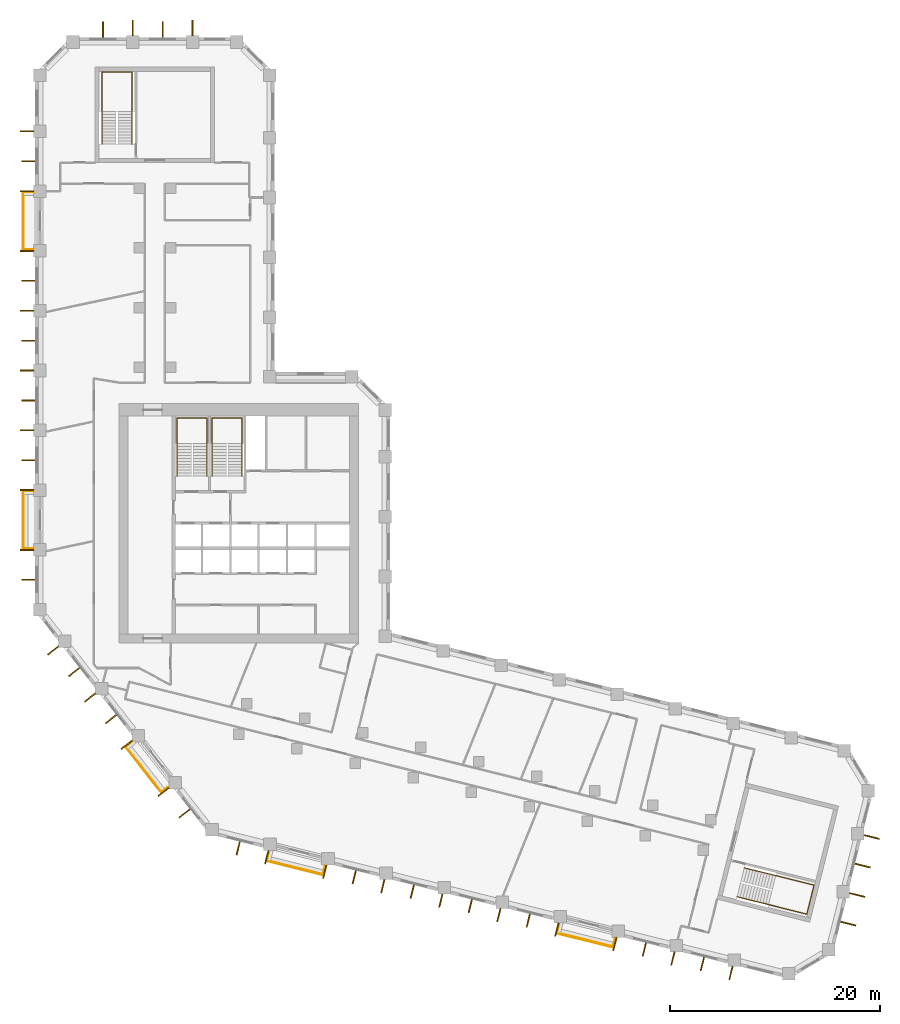
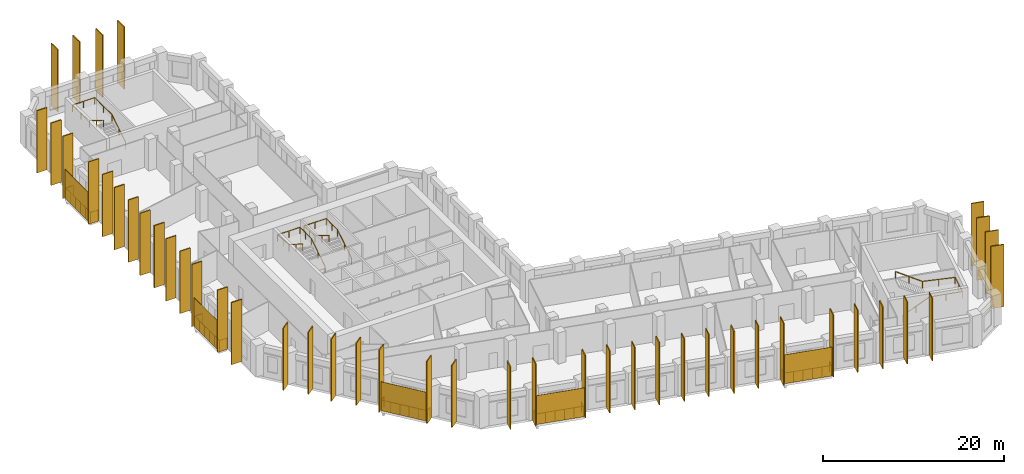
# One storey, part 10 of 10: 50 shading devices, 9 railings.
"""IFC4 building model written with IfcOpenShell, lengths in metres."""

import ifcopenshell
import ifcopenshell.guid

model = None  # the IFC model being written
_history = None  # IfcOwnerHistory: only IFC2X3 demands one
_inside = {}  # id of a spatial element -> (the spatial element, [elements in it])
_under = {}  # id of a project, library or spatial element -> (it, [spatial elements below it])
_declared = {}  # id of a project -> (the project, [libraries it declares])
_typed = {}  # id of a type object -> (the type object, [elements of that type])
_made_of = {}  # id of a material, layer set ... -> (it, [elements and type objects made of it])


def new_model(schema):
    """Start an empty IFC model of exactly this schema.

    Asked for "IFC4X3", IfcOpenShell would pick the latest addendum, in which some entities
    have other attributes; the version numbers below select the first issue.
    IFC2X3 requires an IfcOwnerHistory on every rooted entity: one is made here for all.
    """
    global model, _history
    if schema == "IFC4X3":
        model = ifcopenshell.file(schema_version=(4, 3, 0, 0))
    else:
        model = ifcopenshell.file(schema=schema)
    _inside.clear()
    _under.clear()
    _declared.clear()
    _typed.clear()
    _made_of.clear()
    _history = None
    if model.schema == "IFC2X3":
        org = make("IfcOrganization", Name="unknown")
        user = make(
            "IfcPersonAndOrganization",
            ThePerson=make("IfcPerson", FamilyName="unknown"),
            TheOrganization=org,
        )
        app = make(
            "IfcApplication",
            ApplicationDeveloper=org,
            Version="unknown",
            ApplicationFullName="unknown",
            ApplicationIdentifier="unknown",
        )
        _history = make(
            "IfcOwnerHistory",
            OwningUser=user,
            OwningApplication=app,
            ChangeAction="ADDED",
            CreationDate=0,
        )
    return model


def make(cls, **values):
    """One entity of the class cls with the attributes given. An attribute that is None is left unset."""
    return model.create_entity(
        cls, **{name: value for name, value in values.items() if value is not None}
    )


def rooted(cls, **values):
    """An entity with a GlobalId (a new one), such as an element, a storey or a relation."""
    return make(cls, GlobalId=ifcopenshell.guid.new(), OwnerHistory=_history, **values)


def si_unit(unit_type, name, prefix=None):
    """IfcSIUnit, for example si_unit("LENGTHUNIT", "METRE", prefix="MILLI")."""
    return make("IfcSIUnit", UnitType=unit_type, Prefix=prefix, Name=name)


def assignment(units):
    """IfcUnitAssignment: the units of a project."""
    return None if units is None else make("IfcUnitAssignment", Units=units)


def point(xyz):
    """IfcCartesianPoint."""
    return None if xyz is None else make("IfcCartesianPoint", Coordinates=xyz)


def direction(xyz):
    """IfcDirection."""
    return None if xyz is None else make("IfcDirection", DirectionRatios=xyz)


def frame(location, z_axis=None, x_axis=None):
    """IfcAxis2Placement3D, a coordinate frame: its origin and axes. An axis left out is left unset."""
    return make(
        "IfcAxis2Placement3D",
        Location=point(location),
        Axis=direction(z_axis),
        RefDirection=direction(x_axis),
    )


def frame_2d(location, x_axis=None):
    """IfcAxis2Placement2D, a coordinate frame in the plane: its origin and x axis."""
    return make(
        "IfcAxis2Placement2D", Location=point(location), RefDirection=direction(x_axis)
    )


def origin():
    """The frame at (0, 0, 0) with its axes left unset."""
    return frame((0.0, 0.0, 0.0))


def origin_2d():
    """The frame at (0, 0) in the plane with its x axis left unset."""
    return frame_2d((0.0, 0.0))


def place(relative_to, where):
    """IfcLocalPlacement: puts the frame where relative to a parent placement (None: the world)."""
    return make(
        "IfcLocalPlacement", PlacementRelTo=relative_to, RelativePlacement=where
    )


def context(
    kind, dimensions, precision=None, world=None, true_north=None, identifier=None
):
    """IfcGeometricRepresentationContext, for example the 3D "Model" context."""
    return make(
        "IfcGeometricRepresentationContext",
        ContextIdentifier=identifier,
        ContextType=kind,
        CoordinateSpaceDimension=dimensions,
        Precision=precision,
        WorldCoordinateSystem=world,
        TrueNorth=true_north,
    )


def subcontext(parent, identifier, kind, view, scale=None):
    """IfcGeometricRepresentationSubContext, for example "Body" below "Model"."""
    return make(
        "IfcGeometricRepresentationSubContext",
        ContextIdentifier=identifier,
        ContextType=kind,
        ParentContext=parent,
        TargetScale=scale,
        TargetView=view,
    )


def project(units=None, contexts=None):
    """IfcProject with its units and contexts."""
    return rooted(
        "IfcProject",
        Name="project",
        RepresentationContexts=contexts,
        UnitsInContext=assignment(units),
    )


def spatial(cls, under=None, at=None, **own):
    """A site, building, storey or space (cls), placed at a placement, below another one or the project."""
    s = rooted(cls, ObjectPlacement=at, **own)
    if under is not None:
        _under.setdefault(under.id(), (under, []))[1].append(s)
    return s


def profile(cls, at=None, kind="AREA", **sizes):
    """A parametric profile (cls). Its sizes go by their IFC names, for example OverallWidth=200.0."""
    return make(cls, ProfileType=kind, Position=at, **sizes)


def rectangle(**sizes):
    """IfcRectangleProfileDef."""
    return profile("IfcRectangleProfileDef", **sizes)


def circle(**sizes):
    """IfcCircleProfileDef."""
    return profile("IfcCircleProfileDef", **sizes)


def extrude(swept, where, along, depth):
    """IfcExtrudedAreaSolid: the profile swept, set in the frame where, extruded along a direction by depth."""
    return make(
        "IfcExtrudedAreaSolid",
        SweptArea=swept,
        Position=where,
        ExtrudedDirection=direction(along),
        Depth=depth,
    )


def shape(context_of_items, identifier, shape_type, items):
    """IfcShapeRepresentation: the items that make up one representation, for example the "Body"."""
    return make(
        "IfcShapeRepresentation",
        ContextOfItems=context_of_items,
        RepresentationIdentifier=identifier,
        RepresentationType=shape_type,
        Items=items,
    )


def material(Name=None, Category=None):
    """IfcMaterial."""
    return make("IfcMaterial", Name=Name, Category=Category)


def layer(
    of_material, thickness, ventilated=None, Name=None, Category=None, Priority=None
):
    """IfcMaterialLayer: one layer of a wall or slab, of a material (None: an air gap)."""
    return make(
        "IfcMaterialLayer",
        Material=of_material,
        LayerThickness=thickness,
        IsVentilated=ventilated,
        Name=Name,
        Category=Category,
        Priority=Priority,
    )


def layer_set(layers, Name=None):
    """IfcMaterialLayerSet."""
    return make("IfcMaterialLayerSet", MaterialLayers=layers, LayerSetName=Name)


def made_of(thing, what):
    """Note that an element or type object is made of a material, layer set ...; save() writes the relation."""
    if what is not None:
        _made_of.setdefault(what.id(), (what, []))[1].append(thing)
    return thing


def type_object(cls, material=None, **own):
    """A type object (cls), such as IfcWallType, which elements share."""
    return made_of(rooted(cls, **own), material)


def element(
    cls,
    number,
    at=None,
    inside=None,
    cuts=None,
    type_object=None,
    material=None,
    context=None,
    identifier="Body",
    shape_type=None,
    held_by="IfcProductDefinitionShape",
    body=None,
    shapes=None,
    **own,
):
    """One element of the class cls, such as IfcWall. Its Tag is "e" and its number.

    at: its placement. inside: the storey or other place that contains it. cuts: it is an
    opening in that element (IfcRelVoidsElement). A single representation is given by context,
    identifier, shape_type and body (its items); several are given by shapes. held_by: the class
    of the entity that holds the representations. save() writes the other relations.
    """
    e = rooted(cls, Tag="e%d" % number, ObjectPlacement=at, **own)
    if body is not None:
        shapes = [shape(context, identifier, shape_type, body)]
    if shapes is not None:
        e.Representation = make(held_by, Representations=shapes)
    if inside is not None:
        _inside.setdefault(inside.id(), (inside, []))[1].append(e)
    if cuts is not None:
        rooted(
            "IfcRelVoidsElement", RelatingBuildingElement=cuts, RelatedOpeningElement=e
        )
    if type_object is not None:
        _typed.setdefault(type_object.id(), (type_object, []))[1].append(e)
    return made_of(e, material)


def aggregate(whole, parts):
    """IfcRelAggregates: a whole, such as a stair, and the parts it consists of."""
    return rooted("IfcRelAggregates", RelatingObject=whole, RelatedObjects=parts)


def save(model, path):
    """Write the relations noted so far, then the file.

    IfcRelAggregates (storeys below a building ...), IfcRelContainedInSpatialStructure (elements
    in a storey), IfcRelDefinesByType, IfcRelAssociatesMaterial and IfcRelDeclares: one each for
    every whole, place, type object, material and project.
    """
    for whole, parts in _under.values():
        aggregate(whole, parts)
    for where, things in _inside.values():
        rooted(
            "IfcRelContainedInSpatialStructure",
            RelatedElements=things,
            RelatingStructure=where,
        )
    for kind, things in _typed.values():
        rooted("IfcRelDefinesByType", RelatedObjects=things, RelatingType=kind)
    for what, things in _made_of.values():
        rooted("IfcRelAssociatesMaterial", RelatedObjects=things, RelatingMaterial=what)
    for by, libraries in _declared.values():
        rooted("IfcRelDeclares", RelatingContext=by, RelatedDefinitions=libraries)
    model.write(path)


model = new_model("IFC4")

# Units and contexts
model_context = context("Model", 3, precision=1e-05, world=origin(), true_north=direction((0.0, 1.0)))
body_context = subcontext(model_context, "Body", "Model", "MODEL_VIEW")
ifc_project = project(units=[si_unit("LENGTHUNIT", "METRE"), si_unit("AREAUNIT", "SQUARE_METRE"), si_unit("VOLUMEUNIT", "CUBIC_METRE"), si_unit("PLANEANGLEUNIT", "RADIAN"), si_unit("MASSUNIT", "GRAM", prefix="KILO")], contexts=[model_context])

# Site, building, storey
site_placement = place(None, origin())
site = spatial("IfcSite", under=ifc_project, at=site_placement, CompositionType="ELEMENT")
building_placement = place(site_placement, origin())
building = spatial("IfcBuilding", under=site, at=building_placement, Name="Meshkara Civic Tower", CompositionType="ELEMENT")
storey_placement = place(building_placement, frame((0.0, 0.0, 211.800048828125)))
storey = spatial("IfcBuildingStorey", under=building, at=storey_placement, Name="L48", CompositionType="ELEMENT", Elevation=211.800048828125)

# Railings
ifc_material_1 = material(Name="Steel S355", Category="steel")
railing_type_1 = type_object("IfcRailingType", Name="BALUSTRADE GUARD 1400", PredefinedType="BALUSTRADE", material=ifc_material_1)
for number, where, name in (
    (1, (-0.14990234375, 57.034912109375, 0.0), "Balcony guard"),
    (2, (-0.14990234375, 28.534912109375, 0.0), "Balcony guard"),
):
    element("IfcRailing", number, at=place(storey_placement, frame(where)), inside=storey, type_object=railing_type_1, Name=name, PredefinedType="BALUSTRADE", context=body_context, shape_type="SweptSolid", body=[
        extrude(circle(Radius=0.02392578125, at=origin_2d()), frame((0.0, 0.0, 1.3759765625), z_axis=(-1.0, 0.0, 0.0), x_axis=(0.0, -1.0, 0.0)), (0.0, 0.0, 1.0), 0.960205078125),
        extrude(circle(Radius=0.02392578125, at=origin_2d()), frame((-0.960205078125, 0.0, 1.3759765625), z_axis=(0.0, -1.0, 0.0), x_axis=(1.0, 0.0, 0.0)), (0.0, 0.0, 1.0), 5.4599609375),
        extrude(circle(Radius=0.02392578125, at=origin_2d()), frame((-0.960205078125, -5.4599609375, 1.3759765625), z_axis=(1.0, 0.0, 0.0), x_axis=(0.0, 1.0, 0.0)), (0.0, 0.0, 1.0), 0.960205078125),
        extrude(circle(Radius=0.02099609375, at=origin_2d()), origin(), (0.0, 0.0, 1.0), 1.351806640625),
        extrude(circle(Radius=0.02099609375, at=origin_2d()), frame((-0.960205078125, 0.0, 0.0)), (0.0, 0.0, 1.0), 1.351806640625),
        extrude(circle(Radius=0.02099609375, at=origin_2d()), frame((-0.960205078125, -1.092041015625, 0.0)), (0.0, 0.0, 1.0), 1.351806640625),
        extrude(circle(Radius=0.02099609375, at=origin_2d()), frame((-0.960205078125, -2.18408203125, 0.0)), (0.0, 0.0, 1.0), 1.351806640625),
        extrude(circle(Radius=0.02099609375, at=origin_2d()), frame((-0.960205078125, -3.27587890625, 0.0)), (0.0, 0.0, 1.0), 1.351806640625),
        extrude(circle(Radius=0.02099609375, at=origin_2d()), frame((-0.960205078125, -4.367919921875, 0.0)), (0.0, 0.0, 1.0), 1.351806640625),
        extrude(circle(Radius=0.02099609375, at=origin_2d()), frame((-0.960205078125, -5.4599609375, 0.0)), (0.0, 0.0, 1.0), 1.351806640625),
        extrude(circle(Radius=0.02099609375, at=origin_2d()), frame((0.0, -5.4599609375, 0.0)), (0.0, 0.0, 1.0), 1.351806640625),
    ])
railing_1_placement = place(storey_placement, frame((9.242919921875, 4.632080078125, 0.0)))
element("IfcRailing", 3, at=railing_1_placement, inside=storey, type_object=railing_type_1, Name="Balcony guard", PredefinedType="BALUSTRADE", context=body_context, shape_type="SweptSolid", body=[
    extrude(circle(Radius=0.02392578125, at=origin_2d()), frame((0.0, 0.0, 1.3759765625), z_axis=(-0.787497819548, -0.616317437857, 0.0), x_axis=(0.616317437857, -0.787497819548, 0.0)), (0.0, 0.0, 1.0), 0.71728515625),
    extrude(circle(Radius=0.02392578125, at=origin_2d()), frame((-0.56494140625, -0.442138671875, 1.3759765625), z_axis=(0.615660530481, -0.788011491799, 0.0), x_axis=(0.788011491799, 0.615660530481, 0.0)), (0.0, 0.0, 1.0), 5.459228515625),
    extrude(circle(Radius=0.02392578125, at=origin_2d()), frame((2.796142578125, -4.744140625, 1.3759765625), z_axis=(0.787497819548, 0.616317437857, 0.0), x_axis=(-0.616317437857, 0.787497819548, 0.0)), (0.0, 0.0, 1.0), 0.71728515625),
    extrude(circle(Radius=0.02099609375, at=origin_2d()), origin(), (0.0, 0.0, 1.0), 1.351806640625),
    extrude(circle(Radius=0.02099609375, at=origin_2d()), frame((-0.56494140625, -0.442138671875, 0.0)), (0.0, 0.0, 1.0), 1.351806640625),
    extrude(circle(Radius=0.02099609375, at=origin_2d()), frame((0.107177734375, -1.302490234375, 0.0)), (0.0, 0.0, 1.0), 1.351806640625),
    extrude(circle(Radius=0.02099609375, at=origin_2d()), frame((0.779541015625, -2.162841796875, 0.0)), (0.0, 0.0, 1.0), 1.351806640625),
    extrude(circle(Radius=0.02099609375, at=origin_2d()), frame((1.45166015625, -3.0234375, 0.0)), (0.0, 0.0, 1.0), 1.351806640625),
    extrude(circle(Radius=0.02099609375, at=origin_2d()), frame((2.1240234375, -3.8837890625, 0.0)), (0.0, 0.0, 1.0), 1.351806640625),
    extrude(circle(Radius=0.02099609375, at=origin_2d()), frame((2.796142578125, -4.744140625, 0.0)), (0.0, 0.0, 1.0), 1.351806640625),
    extrude(circle(Radius=0.02099609375, at=origin_2d()), frame((3.361083984375, -4.302001953125, 0.0)), (0.0, 0.0, 1.0), 1.351806640625),
])
railing_2_placement = place(storey_placement, frame((22.322998046875, -5.85205078125, 0.0)))
element("IfcRailing", 4, at=railing_2_placement, inside=storey, type_object=railing_type_1, Name="Balcony guard", PredefinedType="BALUSTRADE", context=body_context, shape_type="SweptSolid", body=[
    extrude(circle(Radius=0.02392578125, at=origin_2d()), frame((0.0, 0.0, 1.3759765625), z_axis=(-0.242742811605, -0.970090679995, 0.0), x_axis=(0.970090679995, -0.242742811605, 0.0)), (0.0, 0.0, 1.0), 0.831787109375),
    extrude(circle(Radius=0.02392578125, at=origin_2d()), frame((-0.201904296875, -0.806884765625, 1.3759765625), z_axis=(0.970279141219, -0.24198840492, 0.0), x_axis=(0.24198840492, 0.970279141219, 0.0)), (0.0, 0.0, 1.0), 5.459228515625),
    extrude(circle(Radius=0.02392578125, at=origin_2d()), frame((5.094970703125, -2.1279296875, 1.3759765625), z_axis=(0.242742561173, 0.97009074266, 0.0), x_axis=(-0.97009074266, 0.242742561173, 0.0)), (0.0, 0.0, 1.0), 0.832763671875),
    extrude(circle(Radius=0.02099609375, at=origin_2d()), origin(), (0.0, 0.0, 1.0), 1.351806640625),
    extrude(circle(Radius=0.02099609375, at=origin_2d()), frame((-0.201904296875, -0.806884765625, 0.0)), (0.0, 0.0, 1.0), 1.351806640625),
    extrude(circle(Radius=0.02099609375, at=origin_2d()), frame((0.857421875, -1.071044921875, 0.0)), (0.0, 0.0, 1.0), 1.351806640625),
    extrude(circle(Radius=0.02099609375, at=origin_2d()), frame((1.916748046875, -1.335205078125, 0.0)), (0.0, 0.0, 1.0), 1.351806640625),
    extrude(circle(Radius=0.02099609375, at=origin_2d()), frame((2.976318359375, -1.599609375, 0.0)), (0.0, 0.0, 1.0), 1.351806640625),
    extrude(circle(Radius=0.02099609375, at=origin_2d()), frame((4.03564453125, -1.86376953125, 0.0)), (0.0, 0.0, 1.0), 1.351806640625),
    extrude(circle(Radius=0.02099609375, at=origin_2d()), frame((5.094970703125, -2.1279296875, 0.0)), (0.0, 0.0, 1.0), 1.351806640625),
    extrude(circle(Radius=0.02099609375, at=origin_2d()), frame((5.297119140625, -1.320068359375, 0.0)), (0.0, 0.0, 1.0), 1.351806640625),
])
railing_3_placement = place(storey_placement, frame((49.97509765625, -12.74609375, 0.0)))
element("IfcRailing", 5, at=railing_3_placement, inside=storey, type_object=railing_type_1, Name="Balcony guard", PredefinedType="BALUSTRADE", context=body_context, shape_type="SweptSolid", body=[
    extrude(circle(Radius=0.02392578125, at=origin_2d()), frame((0.0, 0.0, 1.3759765625), z_axis=(-0.241638519436, -0.97036633594, 0.0), x_axis=(0.97036633594, -0.241638519436, 0.0)), (0.0, 0.0, 1.0), 0.83251953125),
    extrude(circle(Radius=0.02392578125, at=origin_2d()), frame((-0.201171875, -0.807861328125, 1.3759765625), z_axis=(0.970292231073, -0.24193591366, 0.0), x_axis=(0.24193591366, 0.970292231073, 0.0)), (0.0, 0.0, 1.0), 5.460205078125),
    extrude(circle(Radius=0.02392578125, at=origin_2d()), frame((5.096923828125, -2.12890625, 1.3759765625), z_axis=(0.242397690902, 0.970176973261, 0.0), x_axis=(-0.970176973261, 0.242397690902, 0.0)), (0.0, 0.0, 1.0), 0.8330078125),
    extrude(circle(Radius=0.02099609375, at=origin_2d()), origin(), (0.0, 0.0, 1.0), 1.351806640625),
    extrude(circle(Radius=0.02099609375, at=origin_2d()), frame((-0.201171875, -0.807861328125, 0.0)), (0.0, 0.0, 1.0), 1.351806640625),
    extrude(circle(Radius=0.02099609375, at=origin_2d()), frame((0.8583984375, -1.072021484375, 0.0)), (0.0, 0.0, 1.0), 1.351806640625),
    extrude(circle(Radius=0.02099609375, at=origin_2d()), frame((1.91796875, -1.336181640625, 0.0)), (0.0, 0.0, 1.0), 1.351806640625),
    extrude(circle(Radius=0.02099609375, at=origin_2d()), frame((2.977783203125, -1.6005859375, 0.0)), (0.0, 0.0, 1.0), 1.351806640625),
    extrude(circle(Radius=0.02099609375, at=origin_2d()), frame((4.037353515625, -1.86474609375, 0.0)), (0.0, 0.0, 1.0), 1.351806640625),
    extrude(circle(Radius=0.02099609375, at=origin_2d()), frame((5.096923828125, -2.12890625, 0.0)), (0.0, 0.0, 1.0), 1.351806640625),
    extrude(circle(Radius=0.02099609375, at=origin_2d()), frame((5.298828125, -1.32080078125, 0.0)), (0.0, 0.0, 1.0), 1.351806640625),
])

# Shading devices
ifc_material_2 = material(Name="Bronze anodised aluminium", Category="aluminium")
ifc_layer_1 = layer(ifc_material_2, 0.1201171875)
ifc_layer_set_1 = layer_set([ifc_layer_1], Name="BRONZE FIN 1300")
shading_device_type_1 = type_object("IfcShadingDeviceType", Name="BRONZE FIN 1300", PredefinedType="USERDEFINED", material=ifc_layer_set_1)
for number, where, z_axis, x_axis, name in (
    (6, (-0.800048828125, 62.85498046875, 0.0), (0.0, 0.0, 1.0), (0.0, -1.0, 0.0), "Fin"),
    (7, (-0.64990234375, 60.0048828125, 0.0), (0.0, 0.0, 1.0), (0.0, -1.0, 0.0), "Fin"),
    (8, (-0.800048828125, 57.155029296875, 0.0), (0.0, 0.0, 1.0), (0.0, -1.0, 0.0), "Fin"),
    (9, (-0.800048828125, 51.455078125, 0.0), (0.0, 0.0, 1.0), (0.0, -1.0, 0.0), "Fin"),
    (10, (-0.64990234375, 48.60498046875, 0.0), (0.0, 0.0, 1.0), (0.0, -1.0, 0.0), "Fin"),
    (11, (-0.800048828125, 45.7548828125, 0.0), (0.0, 0.0, 1.0), (0.0, -1.0, 0.0), "Fin"),
    (12, (-0.64990234375, 42.905029296875, 0.0), (0.0, 0.0, 1.0), (0.0, -1.0, 0.0), "Fin"),
    (13, (-0.800048828125, 40.054931640625, 0.0), (0.0, 0.0, 1.0), (0.0, -1.0, 0.0), "Fin"),
    (14, (-0.64990234375, 37.205078125, 0.0), (0.0, 0.0, 1.0), (0.0, -1.0, 0.0), "Fin"),
    (15, (-0.800048828125, 34.35498046875, 0.0), (0.0, 0.0, 1.0), (0.0, -1.0, 0.0), "Fin"),
    (16, (-0.64990234375, 31.5048828125, 0.0), (0.0, 0.0, 1.0), (0.0, -1.0, 0.0), "Fin"),
    (17, (-0.800048828125, 28.655029296875, 0.0), (0.0, 0.0, 1.0), (0.0, -1.0, 0.0), "Fin"),
    (18, (-0.800048828125, 22.955078125, 0.0), (0.0, 0.0, 1.0), (0.0, -1.0, 0.0), "Fin"),
    (19, (-0.64990234375, 20.10498046875, 0.0), (0.0, 0.0, 1.0), (0.0, -1.0, 0.0), "Fin"),
    (20, (1.701904296875, 13.360107421875, 0.0), (0.0, 0.0, 1.0), (0.615661475326, -0.788010753607, 0.0), "Fin"),
    (21, (3.701904296875, 11.305908203125, 0.0), (0.0, 0.0, 1.0), (0.615661475326, -0.788010753607, 0.0), "Fin"),
    (22, (5.2109375, 8.867919921875, 0.0), (0.0, 0.0, 1.0), (0.615661475326, -0.788010753607, 0.0), "Fin"),
    (23, (7.2109375, 6.81396484375, 0.0), (0.0, 0.0, 1.0), (0.615661475326, -0.788010753607, 0.0), "Fin"),
    (24, (8.720947265625, 4.3759765625, 0.0), (0.0, 0.0, 1.0), (0.615661475326, -0.788010753607, 0.0), "Fin"),
    (25, (12.22998046875, -0.114990234375, 0.0), (0.0, 0.0, 1.0), (0.615661475326, -0.788010753607, 0.0), "Fin"),
    (26, (14.22998046875, -2.1689453125, 0.0), (0.0, 0.0, 1.0), (0.615661475326, -0.788010753607, 0.0), "Fin"),
    (27, (19.35009765625, -5.4951171875, 0.0), (0.0, 0.0, 1.0), (0.970299948462, -0.241904960708, 0.0), "Fin"),
    (28, (22.074951171875, -6.347900390625, 0.0), (0.0, 0.0, 1.0), (0.970299948462, -0.241904960708, 0.0), "Fin"),
    (29, (27.60498046875, -7.72705078125, 0.0), (0.0, 0.0, 1.0), (0.970299948462, -0.241904960708, 0.0), "Fin"),
    (30, (30.412109375, -8.251953125, 0.0), (0.0, 0.0, 1.0), (0.970299948462, -0.241904960708, 0.0), "Fin"),
    (31, (33.135986328125, -9.10595703125, 0.0), (0.0, 0.0, 1.0), (0.970299948462, -0.241904960708, 0.0), "Fin"),
    (32, (35.94189453125, -9.631103515625, 0.0), (0.0, 0.0, 1.0), (0.970299948462, -0.241904960708, 0.0), "Fin"),
    (33, (38.6669921875, -10.48388671875, 0.0), (0.0, 0.0, 1.0), (0.970299948462, -0.241904960708, 0.0), "Fin"),
    (34, (41.472900390625, -11.010009765625, 0.0), (0.0, 0.0, 1.0), (0.970299948462, -0.241904960708, 0.0), "Fin"),
    (35, (44.197998046875, -11.863037109375, 0.0), (0.0, 0.0, 1.0), (0.970299948462, -0.241904960708, 0.0), "Fin"),
    (36, (47.00390625, -12.388916015625, 0.0), (0.0, 0.0, 1.0), (0.970299948462, -0.241904960708, 0.0), "Fin"),
    (37, (49.72802734375, -13.241943359375, 0.0), (0.0, 0.0, 1.0), (0.970299948462, -0.241904960708, 0.0), "Fin"),
    (38, (55.259033203125, -14.62109375, 0.0), (0.0, 0.0, 1.0), (0.970299948462, -0.241904960708, 0.0), "Fin"),
    (39, (58.06494140625, -15.14697265625, 0.0), (0.0, 0.0, 1.0), (0.970299948462, -0.241904960708, 0.0), "Fin"),
    (40, (60.7900390625, -16.0, 0.0), (0.0, 0.0, 1.0), (0.970299948462, -0.241904960708, 0.0), "Fin"),
    (41, (63.595947265625, -16.52587890625, 0.0), (0.0, 0.0, 1.0), (0.970299948462, -0.241904960708, 0.0), "Fin"),
    (42, (66.320068359375, -17.37890625, 0.0), (0.0, 0.0, 1.0), (0.970299948462, -0.241904960708, 0.0), "Fin"),
):
    element("IfcShadingDevice", number, at=place(storey_placement, frame(where, z_axis=z_axis, x_axis=x_axis)), inside=storey, type_object=shading_device_type_1, Name=name, ObjectType="FIN", PredefinedType="USERDEFINED", context=body_context, shape_type="SweptSolid", body=[
        extrude(rectangle(XDim=0.1201171875, YDim=1.300048828125, at=origin_2d()), origin(), (0.0, 0.0, 1.0), 8.39990234375),
    ])
ifc_material_3 = material(Name="Bronze anodised aluminium", Category="aluminium")
ifc_layer_2 = layer(ifc_material_3, 0.1201171875)
ifc_layer_set_2 = layer_set([ifc_layer_2], Name="BRONZE FIN 1500")
shading_device_type_2 = type_object("IfcShadingDeviceType", Name="BRONZE FIN 1500", PredefinedType="USERDEFINED", material=ifc_layer_set_2)
for number, where, z_axis, x_axis, name in (
    (43, (15.006103515625, 72.719970703125, 0.0), (0.0, 0.0, 1.0), (-1.0, 0.0, 0.0), "Fin"),
    (44, (12.156005859375, 72.570068359375, 0.0), (0.0, 0.0, 1.0), (-1.0, 0.0, 0.0), "Fin"),
    (45, (9.305908203125, 72.719970703125, 0.0), (0.0, 0.0, 1.0), (-1.0, 0.0, 0.0), "Fin"),
    (46, (6.4560546875, 72.570068359375, 0.0), (0.0, 0.0, 1.0), (-1.0, 0.0, 0.0), "Fin"),
    (47, (77.507080078125, -12.669921875, 0.0), (0.0, 0.0, 1.0), (0.2419218956, 0.970295726276, 0.0), "Fin"),
    (48, (78.360107421875, -9.945068359375, 0.0), (0.0, 0.0, 1.0), (0.2419218956, 0.970295726276, 0.0), "Fin"),
    (49, (78.885986328125, -7.138916015625, 0.0), (0.0, 0.0, 1.0), (0.2419218956, 0.970295726276, 0.0), "Fin"),
    (50, (79.739013671875, -4.4150390625, 0.0), (0.0, 0.0, 1.0), (0.2419218956, 0.970295726276, 0.0), "Fin"),
):
    element("IfcShadingDevice", number, at=place(storey_placement, frame(where, z_axis=z_axis, x_axis=x_axis)), inside=storey, type_object=shading_device_type_2, Name=name, ObjectType="FIN", PredefinedType="USERDEFINED", context=body_context, shape_type="SweptSolid", body=[
        extrude(rectangle(XDim=0.1201171875, YDim=1.5, at=origin_2d()), origin(), (0.0, 0.0, 1.0), 8.39990234375),
    ])
ifc_material_4 = material(Name="Perforated bronze anodised aluminium sheet", Category="aluminium")
ifc_layer_3 = layer(ifc_material_4, 0.0400390625)
ifc_layer_set_3 = layer_set([ifc_layer_3], Name="PERFORATED BRONZE SCREEN")
shading_device_type_3 = type_object("IfcShadingDeviceType", Name="PERFORATED BRONZE SCREEN", PredefinedType="USERDEFINED", material=ifc_layer_set_3)
for number, where, z_axis, x_axis, name in (
    (51, (-1.179931640625, 54.304931640625, 0.0), (0.0, 0.0, 1.0), (0.0, -1.0, 0.0), "Balcony screen"),
    (52, (-1.179931640625, 25.804931640625, 0.0), (0.0, 0.0, 1.0), (0.0, -1.0, 0.0), "Balcony screen"),
):
    element("IfcShadingDevice", number, at=place(storey_placement, frame(where, z_axis=z_axis, x_axis=x_axis)), inside=storey, type_object=shading_device_type_3, Name=name, ObjectType="SCREEN", PredefinedType="USERDEFINED", context=body_context, shape_type="SweptSolid", body=[
        extrude(rectangle(XDim=5.580078125, YDim=0.0400390625, at=origin_2d()), origin(), (0.0, 0.0, 1.0), 3.89990234375),
    ])
for number, where, z_axis, x_axis, name in (
    (53, (10.302978515625, 1.99609375, 0.0), (0.0, 0.0, 1.0), (0.615661475326, -0.788010753607, 0.0), "Balcony screen"),
    (54, (24.7529296875, -7.387939453125, 0.0), (0.0, 0.0, 1.0), (0.970299948462, -0.241904960708, 0.0), "Balcony screen"),
):
    element("IfcShadingDevice", number, at=place(storey_placement, frame(where, z_axis=z_axis, x_axis=x_axis)), inside=storey, type_object=shading_device_type_3, Name=name, ObjectType="SCREEN", PredefinedType="USERDEFINED", context=body_context, shape_type="SweptSolid", body=[
        extrude(rectangle(XDim=5.5791015625, YDim=0.0400390625, at=origin_2d()), origin(), (0.0, 0.0, 1.0), 3.89990234375),
    ])
shading_device_placement = place(storey_placement, frame((52.406005859375, -14.281982421875, 0.0), z_axis=(0.0, 0.0, 1.0), x_axis=(0.970299948462, -0.241904960708, 0.0)))
element("IfcShadingDevice", 55, at=shading_device_placement, inside=storey, type_object=shading_device_type_3, Name="Balcony screen", ObjectType="SCREEN", PredefinedType="USERDEFINED", context=body_context, shape_type="SweptSolid", body=[
    extrude(rectangle(XDim=5.580078125, YDim=0.0400390625, at=origin_2d()), origin(), (0.0, 0.0, 1.0), 3.89990234375),
])

# Railings
ifc_material_5 = material(Name="Steel handrail", Category="steel")
railing_type_2 = type_object("IfcRailingType", Name="Stair handrail 900", PredefinedType="HANDRAIL", material=ifc_material_5)
railing_4_placement = place(storey_placement, frame((16.375, 30.0, 0.175048828125)))
element("IfcRailing", 56, at=railing_4_placement, inside=storey, type_object=railing_type_2, Name="L48 ST1 stair handrail 1", PredefinedType="HANDRAIL", context=body_context, shape_type="SweptSolid", body=[
    extrude(circle(Radius=0.02392578125, at=origin_2d()), frame((0.0, 0.0, 0.8759765625), z_axis=(0.0, 0.848028513186, 0.529950602248), x_axis=(-1.0, 0.0, 0.0)), (0.0, 0.0, 1.0), 3.632080078125),
    extrude(circle(Radius=0.02392578125, at=origin_2d()), frame((0.0, 3.080078125, 2.80078125), z_axis=(0.0, 1.0, 0.0), x_axis=(-1.0, 0.0, 0.0)), (0.0, 0.0, 1.0), 2.469970703125),
    extrude(circle(Radius=0.02392578125, at=origin_2d()), frame((0.0, 5.550048828125, 2.80078125), z_axis=(-1.0, 0.0, 0.0), x_axis=(0.0, -1.0, 0.0)), (0.0, 0.0, 1.0), 2.85009765625),
    extrude(circle(Radius=0.02392578125, at=origin_2d()), frame((-2.85009765625, 5.550048828125, 2.80078125), z_axis=(0.0, -0.997498084828, 0.070693498747), x_axis=(1.0, 0.0, 0.0)), (0.0, 0.0, 1.0), 2.47607421875),
    extrude(circle(Radius=0.02392578125, at=origin_2d()), frame((-2.85009765625, 3.080078125, 2.9755859375), z_axis=(0.0, -0.847998304005, 0.529998940003), x_axis=(1.0, 0.0, 0.0)), (0.0, 0.0, 1.0), 3.632080078125),
    extrude(circle(Radius=0.02099609375, at=origin_2d()), origin(), (0.0, 0.0, 1.0), 0.851806640625),
    extrude(circle(Radius=0.02099609375, at=origin_2d()), frame((0.0, 1.5400390625, 0.96240234375)), (0.0, 0.0, 1.0), 0.851806640625),
    extrude(circle(Radius=0.02099609375, at=origin_2d()), frame((0.0, 3.080078125, 1.9248046875)), (0.0, 0.0, 1.0), 0.851806640625),
    extrude(circle(Radius=0.02099609375, at=origin_2d()), frame((0.0, 4.31494140625, 1.9248046875)), (0.0, 0.0, 1.0), 0.851806640625),
    extrude(circle(Radius=0.02099609375, at=origin_2d()), frame((0.0, 5.550048828125, 1.9248046875)), (0.0, 0.0, 1.0), 0.851806640625),
    extrude(circle(Radius=0.02099609375, at=origin_2d()), frame((-1.425048828125, 5.550048828125, 1.9248046875)), (0.0, 0.0, 1.0), 0.851806640625),
    extrude(circle(Radius=0.02099609375, at=origin_2d()), frame((-2.85009765625, 5.550048828125, 1.9248046875)), (0.0, 0.0, 1.0), 0.851806640625),
    extrude(circle(Radius=0.02099609375, at=origin_2d()), frame((-2.85009765625, 4.31494140625, 2.01220703125)), (0.0, 0.0, 1.0), 0.851806640625),
    extrude(circle(Radius=0.02099609375, at=origin_2d()), frame((-2.85009765625, 3.080078125, 2.099853515625)), (0.0, 0.0, 1.0), 0.851806640625),
    extrude(circle(Radius=0.02099609375, at=origin_2d()), frame((-2.85009765625, 1.5400390625, 3.0625)), (0.0, 0.0, 1.0), 0.851806640625),
    extrude(circle(Radius=0.02099609375, at=origin_2d()), frame((-2.85009765625, 0.0, 4.02490234375)), (0.0, 0.0, 1.0), 0.851806640625),
])
railing_5_placement = place(storey_placement, frame((19.72509765625, 30.0, 0.175048828125)))
element("IfcRailing", 57, at=railing_5_placement, inside=storey, type_object=railing_type_2, Name="L48 ST2 stair handrail 1", PredefinedType="HANDRAIL", context=body_context, shape_type="SweptSolid", body=[
    extrude(circle(Radius=0.02392578125, at=origin_2d()), frame((0.0, 0.0, 0.8759765625), z_axis=(0.0, 0.848028513186, 0.529950602248), x_axis=(-1.0, 0.0, 0.0)), (0.0, 0.0, 1.0), 3.632080078125),
    extrude(circle(Radius=0.02392578125, at=origin_2d()), frame((0.0, 3.080078125, 2.80078125), z_axis=(0.0, 1.0, 0.0), x_axis=(-1.0, 0.0, 0.0)), (0.0, 0.0, 1.0), 2.469970703125),
    extrude(circle(Radius=0.02392578125, at=origin_2d()), frame((0.0, 5.550048828125, 2.80078125), z_axis=(-1.0, 0.0, 0.0), x_axis=(0.0, -1.0, 0.0)), (0.0, 0.0, 1.0), 2.85009765625),
    extrude(circle(Radius=0.02392578125, at=origin_2d()), frame((-2.85009765625, 5.550048828125, 2.80078125), z_axis=(0.0, -0.997498084828, 0.070693498747), x_axis=(1.0, 0.0, 0.0)), (0.0, 0.0, 1.0), 2.47607421875),
    extrude(circle(Radius=0.02392578125, at=origin_2d()), frame((-2.85009765625, 3.080078125, 2.9755859375), z_axis=(0.0, -0.847998304005, 0.529998940003), x_axis=(1.0, 0.0, 0.0)), (0.0, 0.0, 1.0), 3.632080078125),
    extrude(circle(Radius=0.02099609375, at=origin_2d()), origin(), (0.0, 0.0, 1.0), 0.851806640625),
    extrude(circle(Radius=0.02099609375, at=origin_2d()), frame((0.0, 1.5400390625, 0.96240234375)), (0.0, 0.0, 1.0), 0.851806640625),
    extrude(circle(Radius=0.02099609375, at=origin_2d()), frame((0.0, 3.080078125, 1.9248046875)), (0.0, 0.0, 1.0), 0.851806640625),
    extrude(circle(Radius=0.02099609375, at=origin_2d()), frame((0.0, 4.31494140625, 1.9248046875)), (0.0, 0.0, 1.0), 0.851806640625),
    extrude(circle(Radius=0.02099609375, at=origin_2d()), frame((0.0, 5.550048828125, 1.9248046875)), (0.0, 0.0, 1.0), 0.851806640625),
    extrude(circle(Radius=0.02099609375, at=origin_2d()), frame((-1.425048828125, 5.550048828125, 1.9248046875)), (0.0, 0.0, 1.0), 0.851806640625),
    extrude(circle(Radius=0.02099609375, at=origin_2d()), frame((-2.85009765625, 5.550048828125, 1.9248046875)), (0.0, 0.0, 1.0), 0.851806640625),
    extrude(circle(Radius=0.02099609375, at=origin_2d()), frame((-2.85009765625, 4.31494140625, 2.01220703125)), (0.0, 0.0, 1.0), 0.851806640625),
    extrude(circle(Radius=0.02099609375, at=origin_2d()), frame((-2.85009765625, 3.080078125, 2.099853515625)), (0.0, 0.0, 1.0), 0.851806640625),
    extrude(circle(Radius=0.02099609375, at=origin_2d()), frame((-2.85009765625, 1.5400390625, 3.0625)), (0.0, 0.0, 1.0), 0.851806640625),
    extrude(circle(Radius=0.02099609375, at=origin_2d()), frame((-2.85009765625, 0.0, 4.02490234375)), (0.0, 0.0, 1.0), 0.851806640625),
])
railing_6_placement = place(storey_placement, frame((9.22509765625, 61.669921875, 0.175048828125)))
element("IfcRailing", 58, at=railing_6_placement, inside=storey, type_object=railing_type_2, Name="L48 ESA3 stair handrail 1", PredefinedType="HANDRAIL", context=body_context, shape_type="SweptSolid", body=[
    extrude(circle(Radius=0.02392578125, at=origin_2d()), frame((0.0, 0.0, 0.8759765625), z_axis=(0.0, 0.848028513186, 0.529950602248), x_axis=(-1.0, 0.0, 0.0)), (0.0, 0.0, 1.0), 3.632080078125),
    extrude(circle(Radius=0.02392578125, at=origin_2d()), frame((0.0, 3.080078125, 2.80078125), z_axis=(0.0, 1.0, 0.0), x_axis=(-1.0, 0.0, 0.0)), (0.0, 0.0, 1.0), 3.77001953125),
    extrude(circle(Radius=0.02392578125, at=origin_2d()), frame((0.0, 6.85009765625, 2.80078125), z_axis=(-1.0, 0.0, 0.0), x_axis=(0.0, -1.0, 0.0)), (0.0, 0.0, 1.0), 2.85009765625),
    extrude(circle(Radius=0.02392578125, at=origin_2d()), frame((-2.85009765625, 6.85009765625, 2.80078125), z_axis=(0.0, -0.9989237834, 0.046381838667), x_axis=(1.0, 0.0, 0.0)), (0.0, 0.0, 1.0), 3.774169921875),
    extrude(circle(Radius=0.02392578125, at=origin_2d()), frame((-2.85009765625, 3.080078125, 2.9755859375), z_axis=(0.0, -0.847998304005, 0.529998940003), x_axis=(1.0, 0.0, 0.0)), (0.0, 0.0, 1.0), 3.632080078125),
    extrude(circle(Radius=0.02099609375, at=origin_2d()), origin(), (0.0, 0.0, 1.0), 0.851806640625),
    extrude(circle(Radius=0.02099609375, at=origin_2d()), frame((0.0, 1.5400390625, 0.96240234375)), (0.0, 0.0, 1.0), 0.851806640625),
    extrude(circle(Radius=0.02099609375, at=origin_2d()), frame((0.0, 3.080078125, 1.9248046875)), (0.0, 0.0, 1.0), 0.851806640625),
    extrude(circle(Radius=0.02099609375, at=origin_2d()), frame((0.0, 4.965087890625, 1.9248046875)), (0.0, 0.0, 1.0), 0.851806640625),
    extrude(circle(Radius=0.02099609375, at=origin_2d()), frame((0.0, 6.85009765625, 1.9248046875)), (0.0, 0.0, 1.0), 0.851806640625),
    extrude(circle(Radius=0.02099609375, at=origin_2d()), frame((-1.425048828125, 6.85009765625, 1.9248046875)), (0.0, 0.0, 1.0), 0.851806640625),
    extrude(circle(Radius=0.02099609375, at=origin_2d()), frame((-2.85009765625, 6.85009765625, 1.9248046875)), (0.0, 0.0, 1.0), 0.851806640625),
    extrude(circle(Radius=0.02099609375, at=origin_2d()), frame((-2.85009765625, 4.965087890625, 2.01220703125)), (0.0, 0.0, 1.0), 0.851806640625),
    extrude(circle(Radius=0.02099609375, at=origin_2d()), frame((-2.85009765625, 3.080078125, 2.099853515625)), (0.0, 0.0, 1.0), 0.851806640625),
    extrude(circle(Radius=0.02099609375, at=origin_2d()), frame((-2.85009765625, 1.5400390625, 3.0625)), (0.0, 0.0, 1.0), 0.851806640625),
    extrude(circle(Radius=0.02099609375, at=origin_2d()), frame((-2.85009765625, 0.0, 4.02490234375)), (0.0, 0.0, 1.0), 0.851806640625),
])
railing_7_placement = place(storey_placement, frame((66.910888671875, -10.1123046875, 0.175048828125)))
element("IfcRailing", 59, at=railing_7_placement, inside=storey, type_object=railing_type_2, Name="L48 ESB3 stair handrail 1", PredefinedType="HANDRAIL", context=body_context, shape_type="SweptSolid", body=[
    extrude(circle(Radius=0.02392578125, at=origin_2d()), frame((0.0, 0.0, 0.8759765625), z_axis=(0.822845324611, -0.205089542144, 0.529965896515), x_axis=(0.241845469214, 0.970314778317, 0.0)), (0.0, 0.0, 1.0), 3.6318359375),
    extrude(circle(Radius=0.02392578125, at=origin_2d()), frame((2.988525390625, -0.744873046875, 2.80078125), z_axis=(0.970325068916, -0.241804178279, 0.0), x_axis=(0.241804178279, 0.970325068916, 0.0)), (0.0, 0.0, 1.0), 3.77001953125),
    extrude(circle(Radius=0.02392578125, at=origin_2d()), frame((6.646728515625, -1.656494140625, 2.80078125), z_axis=(0.24183009087, 0.970318611153, 0.0), x_axis=(-0.970318611153, 0.24183009087, 0.0)), (0.0, 0.0, 1.0), 2.849853515625),
    extrude(circle(Radius=0.02392578125, at=origin_2d()), frame((7.3359375, 1.10888671875, 2.80078125), z_axis=(-0.969280822407, 0.241543952941, 0.046381096481), x_axis=(-0.241804178279, -0.970325068916, 0.0)), (0.0, 0.0, 1.0), 3.774169921875),
    extrude(circle(Radius=0.02392578125, at=origin_2d()), frame((3.677734375, 2.0205078125, 2.9755859375), z_axis=(-0.822816010835, 0.205082235851, 0.530014234575), x_axis=(-0.241845469214, -0.970314778317, 0.0)), (0.0, 0.0, 1.0), 3.632080078125),
    extrude(circle(Radius=0.02099609375, at=origin_2d()), origin(), (0.0, 0.0, 1.0), 0.851806640625),
    extrude(circle(Radius=0.02099609375, at=origin_2d()), frame((1.494140625, -0.37255859375, 0.96240234375)), (0.0, 0.0, 1.0), 0.851806640625),
    extrude(circle(Radius=0.02099609375, at=origin_2d()), frame((2.988525390625, -0.744873046875, 1.9248046875)), (0.0, 0.0, 1.0), 0.851806640625),
    extrude(circle(Radius=0.02099609375, at=origin_2d()), frame((4.817626953125, -1.20068359375, 1.9248046875)), (0.0, 0.0, 1.0), 0.851806640625),
    extrude(circle(Radius=0.02099609375, at=origin_2d()), frame((6.646728515625, -1.656494140625, 1.9248046875)), (0.0, 0.0, 1.0), 0.851806640625),
    extrude(circle(Radius=0.02099609375, at=origin_2d()), frame((6.9912109375, -0.27392578125, 1.9248046875)), (0.0, 0.0, 1.0), 0.851806640625),
    extrude(circle(Radius=0.02099609375, at=origin_2d()), frame((7.3359375, 1.10888671875, 1.9248046875)), (0.0, 0.0, 1.0), 0.851806640625),
    extrude(circle(Radius=0.02099609375, at=origin_2d()), frame((5.5068359375, 1.564697265625, 2.01220703125)), (0.0, 0.0, 1.0), 0.851806640625),
    extrude(circle(Radius=0.02099609375, at=origin_2d()), frame((3.677734375, 2.0205078125, 2.099853515625)), (0.0, 0.0, 1.0), 0.851806640625),
    extrude(circle(Radius=0.02099609375, at=origin_2d()), frame((2.18359375, 2.39306640625, 3.0625)), (0.0, 0.0, 1.0), 0.851806640625),
    extrude(circle(Radius=0.02099609375, at=origin_2d()), frame((0.689208984375, 2.765380859375, 4.02490234375)), (0.0, 0.0, 1.0), 0.851806640625),
])

save(model, "model.ifc")
